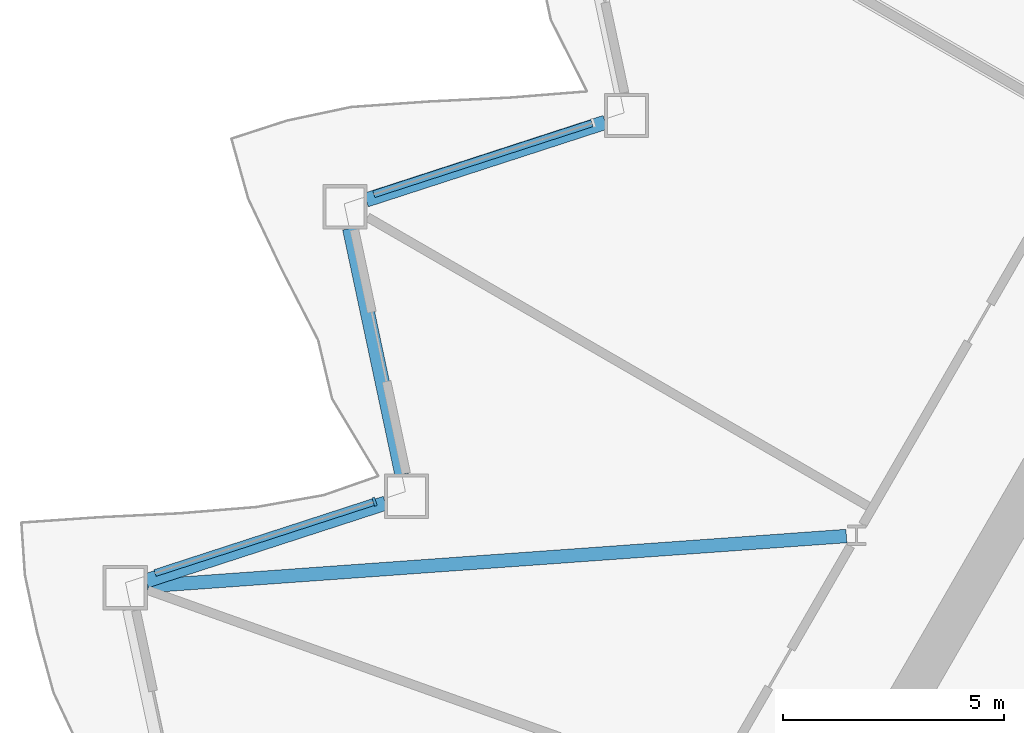
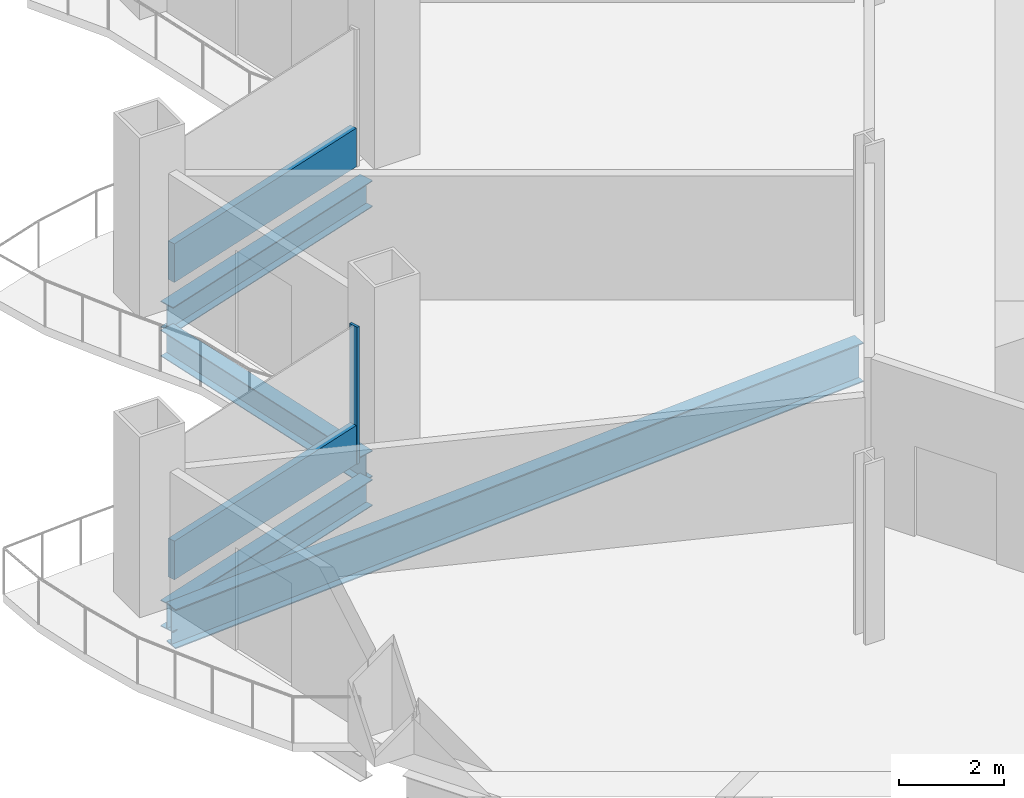
# One storey, part 3 of 21: 4 beams, 3 members, 2 elements without a shape of their own.
"""IFC4 building model written with IfcOpenShell, lengths in metres."""

from ifc_helpers import new_model, si_unit, direction, frame, origin, origin_2d, place, context, subcontext, project, spatial, rectangle, i_section, extrude, material, layer, layer_set, material_profile, profile_set, type_object, element, aggregate, save


model = new_model("IFC4")

# Units and contexts
model_context = context("Model", 3, precision=1e-05, world=origin(), true_north=direction((0.0, 1.0)))
body_context = subcontext(model_context, "Body", "Model", "MODEL_VIEW")
ifc_project = project(units=[si_unit("LENGTHUNIT", "METRE"), si_unit("AREAUNIT", "SQUARE_METRE"), si_unit("VOLUMEUNIT", "CUBIC_METRE"), si_unit("PLANEANGLEUNIT", "RADIAN"), si_unit("MASSUNIT", "GRAM", prefix="KILO")], contexts=[model_context])

# Site, building, storey
site_placement = place(None, origin())
site = spatial("IfcSite", under=ifc_project, at=site_placement, CompositionType="ELEMENT")
building_placement = place(site_placement, origin())
building = spatial("IfcBuilding", under=site, at=building_placement, Name="Cormorant Prow Tower", CompositionType="ELEMENT")
storey_placement = place(building_placement, frame((0.0, 0.0, 80.39990234375)))
storey = spatial("IfcBuildingStorey", under=building, at=storey_placement, Name="L17", CompositionType="ELEMENT", Elevation=80.39990234375)

# Curtain wall, member
ifc_material_1 = material(Name="Aluminium 6063-T6", Category="aluminium")
ifc_layer = layer(ifc_material_1, 0.199951171875)
ifc_layer_set = layer_set([ifc_layer], Name="Aluminium 6063-T6")
curtain_wall_type = type_object("IfcCurtainWallType", Name="Office unitised curtain wall 200", PredefinedType="NOTDEFINED", material=ifc_layer_set)
curtain_wall_1_placement = place(storey_placement, origin())
curtain_wall_1 = element("IfcCurtainWall", 1, at=curtain_wall_1_placement, inside=storey, type_object=curtain_wall_type, Name="Office curtain wall WNW08", PredefinedType="NOTDEFINED")
ifc_material_2 = material(Name="Aluminium 6063-T6", Category="aluminium")
ifc_material_profile_1 = material_profile(ifc_material_2, rectangle(XDim=0.199951171875, YDim=0.06005859375, at=origin_2d()), Name="Office mullion 60x200")
ifc_profile_set_1 = profile_set([ifc_material_profile_1], Name="Aluminium 6063-T6")
member_type_1 = type_object("IfcMemberType", Name="Office mullion 60x200", PredefinedType="MULLION", material=ifc_profile_set_1)
member_1_placement = place(storey_placement, frame((-26.756591796875, -2.295166015625, 0.0), z_axis=(0.0, 0.0, 1.0), x_axis=(0.309016903379, -0.951056545862, 0.0)))
member_1 = element("IfcMember", 2, at=member_1_placement, type_object=member_type_1, Name="Office mullion WNW08", PredefinedType="MULLION", context=body_context, shape_type="SweptSolid", body=[
    extrude(rectangle(XDim=0.199951171875, YDim=0.06005859375, at=origin_2d()), origin(), (0.0, 0.0, 1.0), 3.18896484375),
])

curtain_wall_2_placement = place(storey_placement, origin())
curtain_wall_2 = element("IfcCurtainWall", 3, at=curtain_wall_2_placement, inside=storey, type_object=curtain_wall_type, Name="Office curtain wall WNW06", PredefinedType="NOTDEFINED")
ifc_material_3 = material(Name="Terracotta", Category="masonry")
ifc_material_profile_2 = material_profile(ifc_material_3, rectangle(XDim=0.159912109375, YDim=0.89990234375, at=origin_2d()), Name="Office terracotta spandrel rail 160x900")
ifc_profile_set_2 = profile_set([ifc_material_profile_2], Name="Terracotta")
member_type_2 = type_object("IfcMemberType", Name="Office terracotta spandrel rail 160x900", PredefinedType="USERDEFINED", material=ifc_profile_set_2)
member_2_placement = place(storey_placement, frame((-21.8447265625, 6.252685546875, 0.4501953125), z_axis=(-0.95105864728, -0.309010435801, 0.0), x_axis=(0.309010435801, -0.95105864728, 0.0)))
member_2 = element("IfcMember", 4, at=member_2_placement, type_object=member_type_2, Name="Office spandrel rail WNW06", ObjectType="TRANSOM", PredefinedType="USERDEFINED", context=body_context, shape_type="SweptSolid", body=[
    extrude(rectangle(XDim=0.159912109375, YDim=0.89990234375, at=origin_2d()), origin(), (0.0, 0.0, 1.0), 5.18212890625),
])
aggregate(curtain_wall_2, [member_2])

# Member
member_3_placement = place(storey_placement, frame((-26.78515625, -2.304443359375, 0.4501953125), z_axis=(-0.95105864728, -0.309010435801, 0.0), x_axis=(0.309010435801, -0.95105864728, 0.0)))
member_3 = element("IfcMember", 5, at=member_3_placement, type_object=member_type_2, Name="Office spandrel rail WNW08", ObjectType="TRANSOM", PredefinedType="USERDEFINED", context=body_context, shape_type="SweptSolid", body=[
    extrude(rectangle(XDim=0.159912109375, YDim=0.89990234375, at=origin_2d()), origin(), (0.0, 0.0, 1.0), 5.18212890625),
])

aggregate(curtain_wall_1, [member_1, member_3])

# Beams
ifc_material_4 = material(Name="Structural steel ASTM A992 Gr 50", Category="steel")
ifc_material_profile_3 = material_profile(ifc_material_4, i_section(OverallWidth=0.3046875, OverallDepth=0.914794921875, WebThickness=0.0166015625, FlangeThickness=0.02587890625, at=origin_2d()), Name="W36x160")
ifc_profile_set_3 = profile_set([ifc_material_profile_3], Name="Structural steel ASTM A992 Gr 50")
beam_type_1 = type_object("IfcBeamType", Name="Radial floor beam W36x160", PredefinedType="BEAM", material=ifc_profile_set_3)
beam_1_placement = place(storey_placement, frame((-16.099365234375, -3.0703125, -0.857177734375), z_axis=(-0.997443412532, -0.071460750045, 0.0), x_axis=(0.071460750045, -0.997443412532, 0.0)))
element("IfcBeam", 6, at=beam_1_placement, inside=storey, type_object=beam_type_1, Name="Radial floor beam FB1 4 L17", PredefinedType="BEAM", context=body_context, shape_type="SweptSolid", body=[
    extrude(i_section(OverallWidth=0.3046875, OverallDepth=0.914794921875, WebThickness=0.0166015625, FlangeThickness=0.02587890625, at=origin_2d()), origin(), (0.0, 0.0, 1.0), 15.831787109375),
])
ifc_material_5 = material(Name="Structural steel ASTM A992 Gr 50", Category="steel")
ifc_material_profile_4 = material_profile(ifc_material_5, i_section(OverallWidth=0.32373046875, OverallDepth=0.611083984375, WebThickness=0.0126953125, FlangeThickness=0.01904296875, at=origin_2d()), Name="W24x104")
ifc_profile_set_4 = profile_set([ifc_material_profile_4], Name="Structural steel ASTM A992 Gr 50")
beam_type_2 = type_object("IfcBeamType", Name="Spandrel beam W24x104", PredefinedType="SPANDREL", material=ifc_profile_set_4)
beam_2_placement = place(storey_placement, frame((-21.54345703125, 6.274658203125, -0.70556640625), z_axis=(-0.951061849722, -0.309000579292, 0.0), x_axis=(0.309000579292, -0.951061849722, 0.0)))
element("IfcBeam", 7, at=beam_2_placement, inside=storey, type_object=beam_type_2, Name="Spandrel beam SB1 WNW06-WNW07 L17", PredefinedType="SPANDREL", context=body_context, shape_type="SweptSolid", body=[
    extrude(i_section(OverallWidth=0.32373046875, OverallDepth=0.611083984375, WebThickness=0.0126953125, FlangeThickness=0.01904296875, at=origin_2d()), origin(), (0.0, 0.0, 1.0), 5.682373046875),
])
beam_3_placement = place(storey_placement, frame((-27.3193359375, 3.875244140625, -0.70556640625), z_axis=(0.207900376723, -0.97815000555, 0.0), x_axis=(0.97815000555, 0.207900376723, 0.0)))
element("IfcBeam", 8, at=beam_3_placement, inside=storey, type_object=beam_type_2, Name="Spandrel beam SB1 WNW07-WNW08 L17", PredefinedType="SPANDREL", context=body_context, shape_type="SweptSolid", body=[
    extrude(i_section(OverallWidth=0.32373046875, OverallDepth=0.611083984375, WebThickness=0.0126953125, FlangeThickness=0.01904296875, at=origin_2d()), origin(), (0.0, 0.0, 1.0), 5.6826171875),
])
beam_4_placement = place(storey_placement, frame((-26.509521484375, -2.32666015625, -0.70556640625), z_axis=(-0.951049222751, -0.309039440696, 0.0), x_axis=(0.309039440696, -0.951049222751, 0.0)))
element("IfcBeam", 9, at=beam_4_placement, inside=storey, type_object=beam_type_2, Name="Spandrel beam SB1 WNW08-WNW09 L17", PredefinedType="SPANDREL", context=body_context, shape_type="SweptSolid", body=[
    extrude(i_section(OverallWidth=0.32373046875, OverallDepth=0.611083984375, WebThickness=0.0126953125, FlangeThickness=0.01904296875, at=origin_2d()), origin(), (0.0, 0.0, 1.0), 5.682373046875),
])

save(model, "model.ifc")
